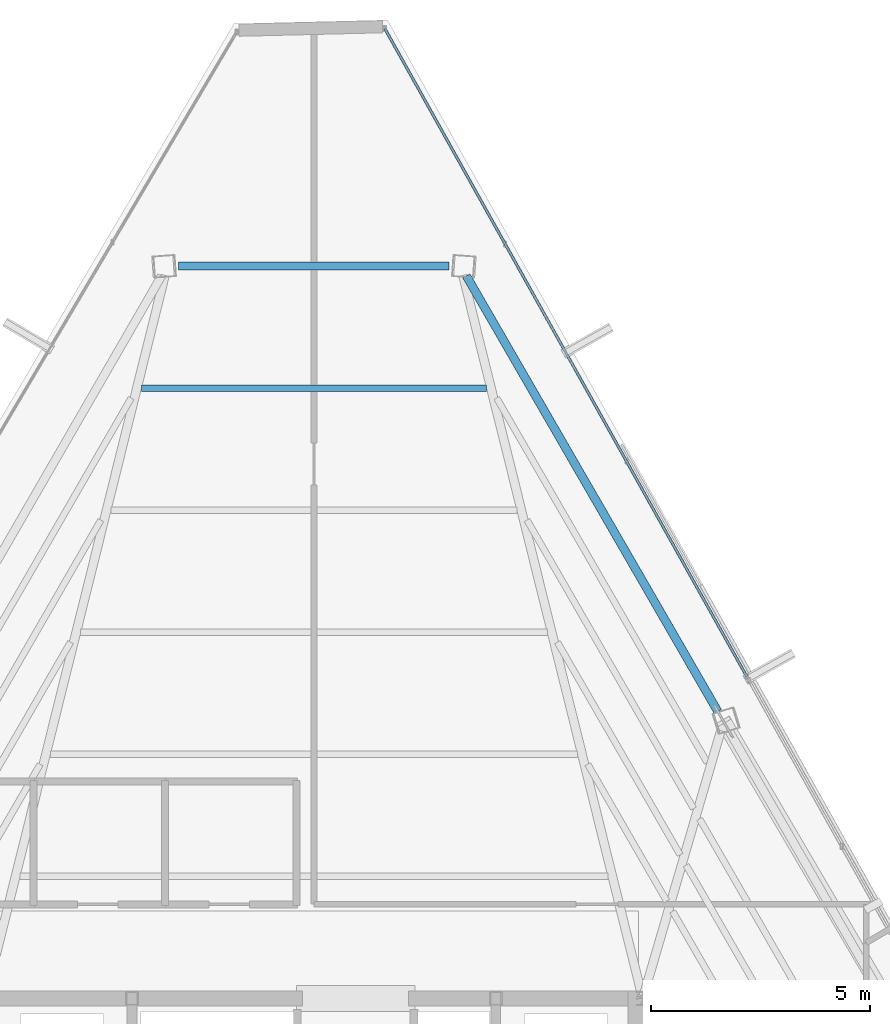
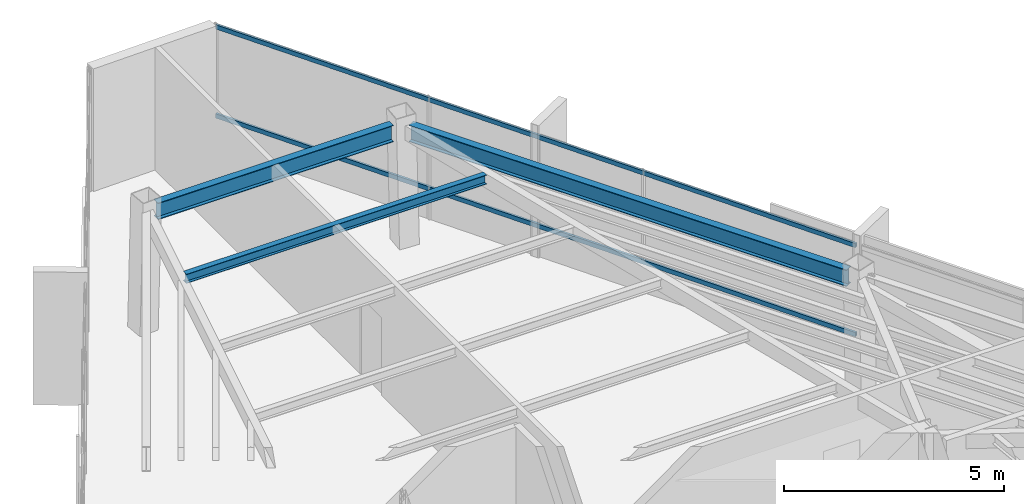
# One storey, part 36 of 45: 3 beams, 2 members, 1 element without a shape of its own.
"""IFC4 building model written with IfcOpenShell, lengths in metres."""

from ifc_helpers import new_model, si_unit, direction, frame, origin, origin_2d, place, context, subcontext, project, spatial, hollow_rectangle, i_section, extrude, source, transform, mapped, material, material_profile, profile_set, type_object, type_shapes, element, aggregate, save


model = new_model("IFC4")

# Units and contexts
model_context = context("Model", 3, precision=1e-05, world=origin(), true_north=direction((0.0, 1.0)))
body_context = subcontext(model_context, "Body", "Model", "MODEL_VIEW")
ifc_project = project(units=[si_unit("LENGTHUNIT", "METRE"), si_unit("AREAUNIT", "SQUARE_METRE"), si_unit("VOLUMEUNIT", "CUBIC_METRE"), si_unit("PLANEANGLEUNIT", "RADIAN"), si_unit("MASSUNIT", "GRAM", prefix="KILO")], contexts=[model_context])

# Site, building, storey
site_placement = place(None, origin())
site = spatial("IfcSite", under=ifc_project, at=site_placement, CompositionType="ELEMENT")
building_placement = place(site_placement, origin())
building = spatial("IfcBuilding", under=site, at=building_placement, Name="Caelisora Broadcast Tower", CompositionType="ELEMENT")
storey_placement = place(building_placement, frame((0.0, 0.0, 273.64990234375)))
storey = spatial("IfcBuildingStorey", under=building, at=storey_placement, Name="L72", CompositionType="ELEMENT", Elevation=273.64990234375)

# Beams
ifc_material_1 = material(Name="Steel Grade 350 (AS/NZS 3679.1)", Category="steel")
ifc_material_profile_1 = material_profile(ifc_material_1, i_section(OverallWidth=0.19091796875, OverallDepth=0.46044921875, WebThickness=0.010009765625, FlangeThickness=0.01611328125, at=origin_2d()), Name="Steel Grade 350 (AS/NZS 3679.1)")
ifc_profile_set_1 = profile_set([ifc_material_profile_1], Name="Steel Grade 350 (AS/NZS 3679.1)")
beam_type_1 = type_object("IfcBeamType", Name="PG06", PredefinedType="BEAM", material=ifc_profile_set_1)
shared_shape_1 = source(origin(), body_context, "Body", "SweptSolid", [
    extrude(i_section(OverallWidth=0.19091796875, OverallDepth=0.46044921875, WebThickness=0.010009765625, FlangeThickness=0.01611328125, at=origin_2d()), origin(), (0.0, 0.0, 1.0), 6.17333984375),
])
beam_1_placement = place(storey_placement, frame((41.086669921875, 46.71142578125, 3.169921875), z_axis=(-1.0, 0.0, 0.0), x_axis=(0.0, -1.0, 0.0)))
element("IfcBeam", 1, at=beam_1_placement, inside=storey, type_object=beam_type_1, Name="L72 beam PG06", PredefinedType="BEAM", context=body_context, shape_type="MappedRepresentation", body=[
    mapped(shared_shape_1, transform((0.0, 0.0, 0.0), scale=1.0)),
])
shared_shape_2 = source(origin(), body_context, "Body", "SweptSolid", [
    extrude(i_section(OverallWidth=0.19091796875, OverallDepth=0.46044921875, WebThickness=0.010009765625, FlangeThickness=0.01611328125, at=origin_2d()), origin(), (0.0, 0.0, 1.0), 11.476806640625),
])
type_shapes(beam_type_1, [shared_shape_1, shared_shape_2])
beam_2_placement = place(storey_placement, frame((47.215087890625, 36.547119140625, 3.169921875), z_axis=(-0.499991914108, 0.866030072126, 0.0), x_axis=(-0.866030072126, -0.499991914108, 0.0)))
element("IfcBeam", 2, at=beam_2_placement, inside=storey, type_object=beam_type_1, Name="L72 beam PG06", PredefinedType="BEAM", context=body_context, shape_type="MappedRepresentation", body=[
    mapped(shared_shape_2, transform((0.0, 0.0, 0.0), scale=1.0)),
])
ifc_material_profile_2 = material_profile(ifc_material_1, i_section(OverallWidth=0.14599609375, OverallDepth=0.256103515625, WebThickness=0.00634765625, FlangeThickness=0.010986328125, at=origin_2d()), Name="Steel Grade 350 (AS/NZS 3679.1)")
ifc_profile_set_2 = profile_set([ifc_material_profile_2], Name="Steel Grade 350 (AS/NZS 3679.1)")
beam_type_2 = type_object("IfcBeamType", Name="SB04", PredefinedType="JOIST", material=ifc_profile_set_2)
shared_shape_3 = source(origin(), body_context, "Body", "SweptSolid", [
    extrude(i_section(OverallWidth=0.14599609375, OverallDepth=0.256103515625, WebThickness=0.00634765625, FlangeThickness=0.010986328125, at=origin_2d()), origin(), (0.0, 0.0, 1.0), 7.8779296875),
])
type_shapes(beam_type_2, [shared_shape_3])
beam_3_placement = place(storey_placement, frame((41.93896484375, 43.92626953125, 3.27197265625), z_axis=(-1.0, 0.0, 0.0), x_axis=(0.0, -1.0, 0.0)))
element("IfcBeam", 3, at=beam_3_placement, inside=storey, type_object=beam_type_2, Name="L72 beam SB04", PredefinedType="JOIST", context=body_context, shape_type="MappedRepresentation", body=[
    mapped(shared_shape_3, transform((0.0, 0.0, 0.0), scale=1.0)),
])

# Curtain wall, members
ifc_material_2 = material(Name="Unitised Aluminium and Low-E Glass Curtain Wall", Category="glass")
curtain_wall_type = type_object("IfcCurtainWallType", Name="CW-Z5", PredefinedType="NOTDEFINED", material=ifc_material_2)
curtain_wall_placement = place(storey_placement, origin())
curtain_wall = element("IfcCurtainWall", 4, at=curtain_wall_placement, inside=storey, type_object=curtain_wall_type, Name="L72 curtain wall CW-Z5", PredefinedType="NOTDEFINED")
ifc_material_3 = material(Name="Aluminium 6063-T6 Anodised Terracotta Bronze", Category="aluminium")
ifc_material_profile_3 = material_profile(ifc_material_3, hollow_rectangle(XDim=0.06005859375, YDim=0.1201171875, WallThickness=0.0029296875, at=origin_2d()), Name="Aluminium 6063-T6 Anodised Terracotta Bronze")
ifc_profile_set_3 = profile_set([ifc_material_profile_3], Name="Aluminium 6063-T6 Anodised Terracotta Bronze")
member_type = type_object("IfcMemberType", Name="CWT-03", PredefinedType="USERDEFINED", material=ifc_profile_set_3)
shared_shape_4 = source(origin(), body_context, "Body", "SweptSolid", [
    extrude(hollow_rectangle(XDim=0.06005859375, YDim=0.1201171875, WallThickness=0.0029296875, at=origin_2d()), origin(), (0.0, 0.0, 1.0), 16.929931640625),
])
type_shapes(member_type, [shared_shape_4])
member_1_placement = place(storey_placement, frame((39.616455078125, 52.12939453125, 0.85009765625), z_axis=(0.487693685992, -0.873014815821, 0.0), x_axis=(0.873014815821, 0.487693685992, 0.0)))
member_1 = element("IfcMember", 5, at=member_1_placement, type_object=member_type, Name="L72-CW-B01 transom #1", ObjectType="TRANSOM", PredefinedType="USERDEFINED", context=body_context, shape_type="MappedRepresentation", body=[
    mapped(shared_shape_4, transform((0.0, 0.0, 0.0), scale=1.0)),
])
member_2_placement = place(storey_placement, frame((39.616455078125, 52.12939453125, 3.320068359375), z_axis=(0.487693685992, -0.873014815821, 0.0), x_axis=(0.873014815821, 0.487693685992, 0.0)))
member_2 = element("IfcMember", 6, at=member_2_placement, type_object=member_type, Name="L72-CW-B01 transom #2", ObjectType="TRANSOM", PredefinedType="USERDEFINED", context=body_context, shape_type="MappedRepresentation", body=[
    mapped(shared_shape_4, transform((0.0, 0.0, 0.0), scale=1.0)),
])
aggregate(curtain_wall, [member_1, member_2])

save(model, "model.ifc")
